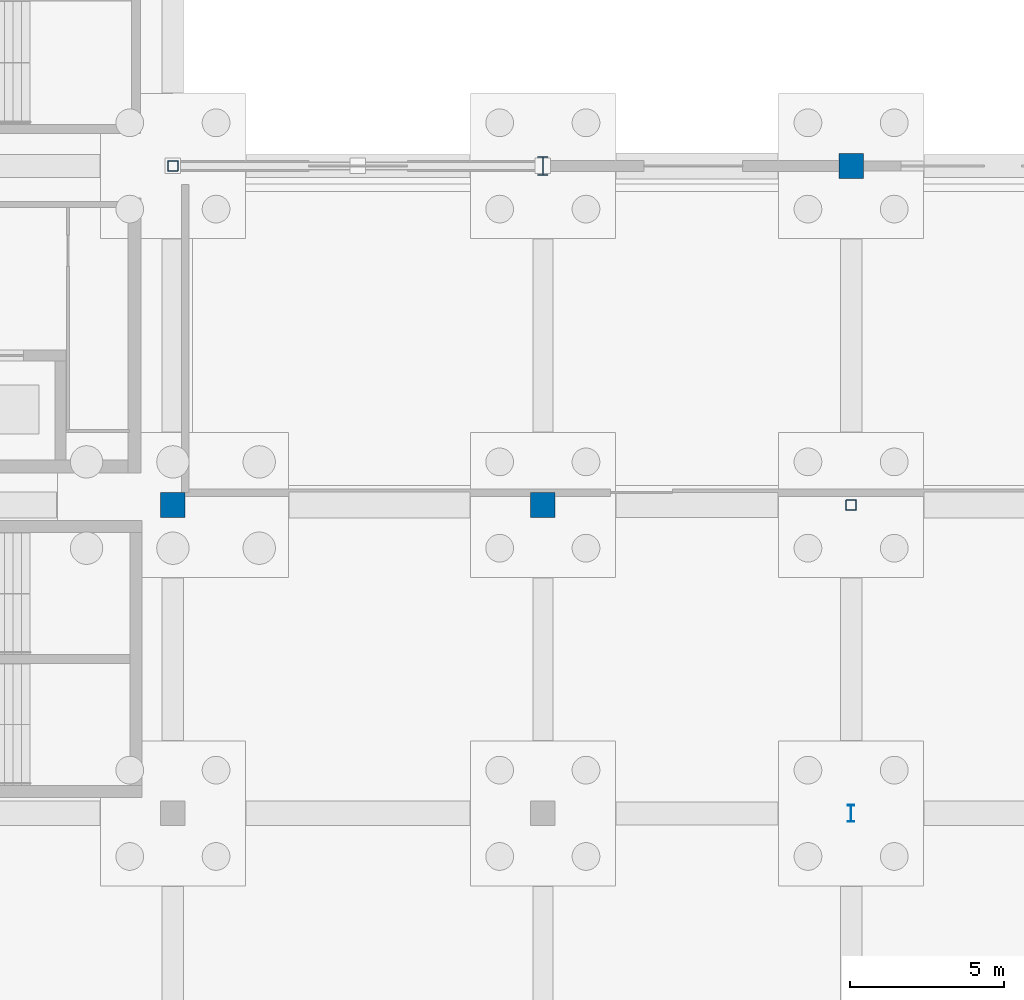
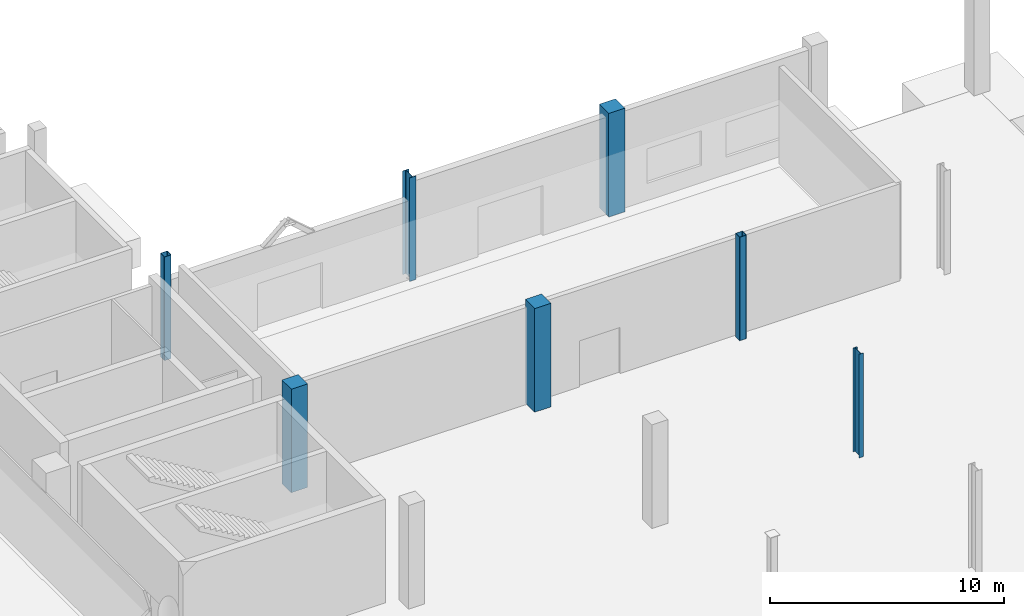
# One storey, part 27 of 70: 7 columns.
"""IFC4 building model written with IfcOpenShell, lengths in metres."""

from ifc_helpers import new_model, si_unit, direction, frame, origin, origin_2d, place, context, subcontext, project, spatial, rectangle, hollow_rectangle, i_section, extrude, material, material_profile, profile_set, type_object, element, save


model = new_model("IFC4")

# Units and contexts
model_context = context("Model", 3, precision=1e-05, world=origin(), true_north=direction((0.0, 1.0)))
body_context = subcontext(model_context, "Body", "Model", "MODEL_VIEW")
ifc_project = project(units=[si_unit("LENGTHUNIT", "METRE"), si_unit("AREAUNIT", "SQUARE_METRE"), si_unit("VOLUMEUNIT", "CUBIC_METRE"), si_unit("PLANEANGLEUNIT", "RADIAN"), si_unit("MASSUNIT", "GRAM", prefix="KILO")], contexts=[model_context])

# Site, building, storey
site_placement = place(None, origin())
site = spatial("IfcSite", under=ifc_project, at=site_placement, CompositionType="ELEMENT")
building_placement = place(site_placement, origin())
building = spatial("IfcBuilding", under=site, at=building_placement, Name="Brinegate Civic Arena", CompositionType="ELEMENT")
storey_placement = place(building_placement, origin())
storey = spatial("IfcBuildingStorey", under=building, at=storey_placement, Name="L00", CompositionType="ELEMENT", Elevation=0.0)

# Columns
ifc_material_1 = material(Name="Concrete C50/60", Category="concrete")
ifc_material_profile_1 = material_profile(ifc_material_1, rectangle(XDim=0.800048828125, YDim=0.800048828125, at=origin_2d()), Name="RC800X800")
ifc_profile_set_1 = profile_set([ifc_material_profile_1], Name="Concrete C50/60")
column_type_1 = type_object("IfcColumnType", Name="COL-CC07-800", PredefinedType="COLUMN", material=ifc_profile_set_1)
for number, where, z_axis, x_axis, name in (
    (1, (168.0, 82.0, 0.0), (0.0, 0.0, 1.0), (1.0, 0.0, 0.0), "Column COL-L00-15-J"),
    (2, (180.0, 82.0, 0.0), (0.0, 0.0, 1.0), (1.0, 0.0, 0.0), "Column COL-L00-16-J"),
    (3, (190.0, 93.0, 0.0), (0.0, 0.0, 1.0), (1.0, 0.0, 0.0), "Column COL-L00-17-K"),
):
    element("IfcColumn", number, at=place(storey_placement, frame(where, z_axis=z_axis, x_axis=x_axis)), inside=storey, type_object=column_type_1, Name=name, PredefinedType="COLUMN", context=body_context, shape_type="SweptSolid", body=[
        extrude(rectangle(XDim=0.800048828125, YDim=0.800048828125, at=origin_2d()), origin(), (0.0, 0.0, 1.0), 5.39990234375),
    ])
ifc_material_2 = material(Name="Steel S355", Category="steel")
ifc_material_profile_2 = material_profile(ifc_material_2, i_section(OverallWidth=0.323974609375, OverallDepth=0.611083984375, WebThickness=0.012939453125, FlangeThickness=0.01904296875, FilletRadius=0.01611328125, at=origin_2d()), Name="W610X155")
ifc_profile_set_2 = profile_set([ifc_material_profile_2], Name="Steel S355")
column_type_2 = type_object("IfcColumnType", Name="COL-SC01-W610", PredefinedType="COLUMN", material=ifc_profile_set_2)
column_1_placement = place(storey_placement, frame((180.0, 93.0, 0.0), z_axis=(0.0, 0.0, 1.0), x_axis=(1.0, 0.0, 0.0)))
element("IfcColumn", 4, at=column_1_placement, inside=storey, type_object=column_type_2, Name="Column COL-L00-16-K", PredefinedType="COLUMN", context=body_context, shape_type="SweptSolid", body=[
    extrude(i_section(OverallWidth=0.323974609375, OverallDepth=0.611083984375, WebThickness=0.012939453125, FlangeThickness=0.01904296875, FilletRadius=0.01611328125, at=origin_2d()), origin(), (0.0, 0.0, 1.0), 5.39990234375),
])
ifc_material_profile_3 = material_profile(ifc_material_2, i_section(OverallWidth=0.2119140625, OverallDepth=0.5439453125, WebThickness=0.012939453125, FlangeThickness=0.02099609375, FilletRadius=0.01611328125, at=origin_2d()), Name="W530X123")
ifc_profile_set_3 = profile_set([ifc_material_profile_3], Name="Steel S355")
column_type_3 = type_object("IfcColumnType", Name="COL-SC02-W530", PredefinedType="COLUMN", material=ifc_profile_set_3)
column_2_placement = place(storey_placement, frame((190.0, 72.0, 0.0), z_axis=(0.0, 0.0, 1.0), x_axis=(1.0, 0.0, 0.0)))
element("IfcColumn", 5, at=column_2_placement, inside=storey, type_object=column_type_3, Name="Column COL-L00-17-H", PredefinedType="COLUMN", context=body_context, shape_type="SweptSolid", body=[
    extrude(i_section(OverallWidth=0.2119140625, OverallDepth=0.5439453125, WebThickness=0.012939453125, FlangeThickness=0.02099609375, FilletRadius=0.01611328125, at=origin_2d()), origin(), (0.0, 0.0, 1.0), 5.39990234375),
])
ifc_material_profile_4 = material_profile(ifc_material_2, hollow_rectangle(XDim=0.35009765625, YDim=0.35009765625, WallThickness=0.01611328125, InnerFilletRadius=0.01611328125, OuterFilletRadius=0.031982421875, at=origin_2d()), Name="SHS350X16")
ifc_profile_set_4 = profile_set([ifc_material_profile_4], Name="Steel S355")
column_type_4 = type_object("IfcColumnType", Name="COL-SC04-SHS350", PredefinedType="COLUMN", material=ifc_profile_set_4)
for number, where, z_axis, x_axis, name in (
    (6, (168.0, 93.0, 0.0), (0.0, 0.0, 1.0), (1.0, 0.0, 0.0), "Column COL-L00-15-K"),
    (7, (190.0, 82.0, 0.0), (0.0, 0.0, 1.0), (1.0, 0.0, 0.0), "Column COL-L00-17-J"),
):
    element("IfcColumn", number, at=place(storey_placement, frame(where, z_axis=z_axis, x_axis=x_axis)), inside=storey, type_object=column_type_4, Name=name, PredefinedType="COLUMN", context=body_context, shape_type="SweptSolid", body=[
        extrude(hollow_rectangle(XDim=0.35009765625, YDim=0.35009765625, WallThickness=0.01611328125, InnerFilletRadius=0.01611328125, OuterFilletRadius=0.031982421875, at=origin_2d()), origin(), (0.0, 0.0, 1.0), 5.39990234375),
    ])

save(model, "model.ifc")
